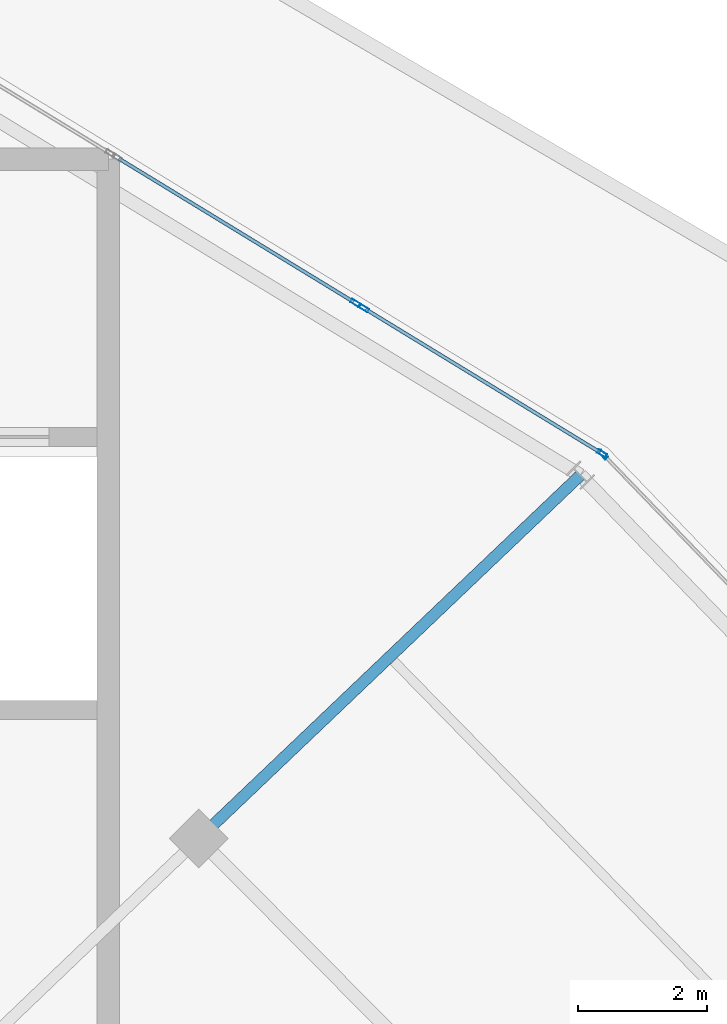
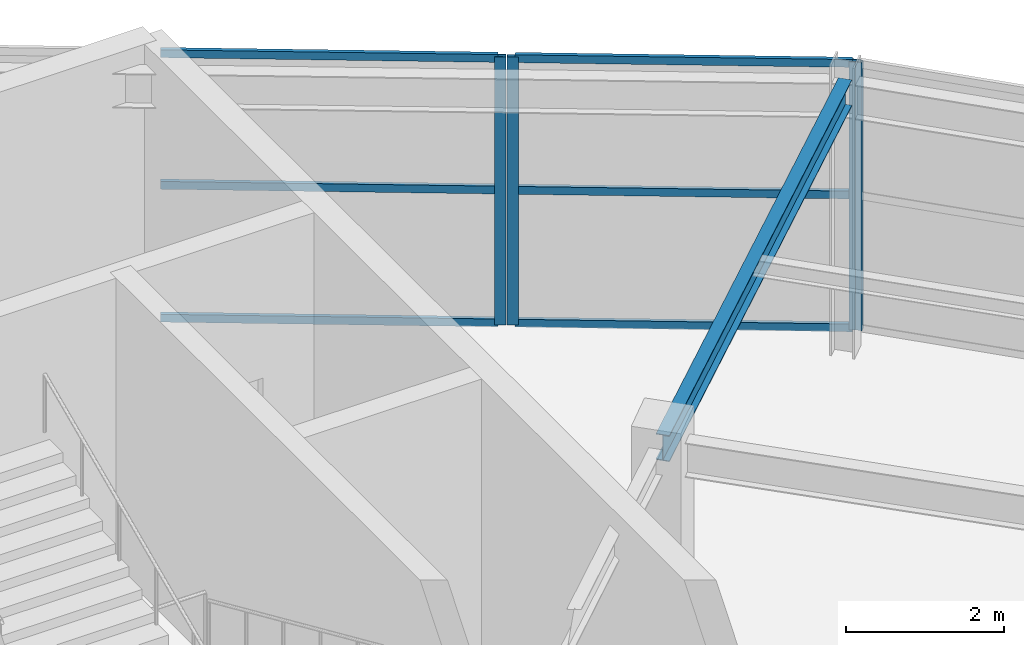
# One storey, part 91 of 126: 10 members, 1 beam, 3 elements without a shape of their own.
"""IFC4 building model written with IfcOpenShell, lengths in metres."""

from ifc_helpers import new_model, si_unit, direction, frame, origin, origin_2d, place, context, subcontext, project, spatial, hollow_rectangle, i_section, extrude, material, layer, layer_set, material_profile, profile_set, type_object, element, aggregate, save


model = new_model("IFC4")

# Units and contexts
model_context = context("Model", 3, precision=1e-05, world=origin(), true_north=direction((0.0, 1.0)))
body_context = subcontext(model_context, "Body", "Model", "MODEL_VIEW")
ifc_project = project(units=[si_unit("LENGTHUNIT", "METRE"), si_unit("AREAUNIT", "SQUARE_METRE"), si_unit("VOLUMEUNIT", "CUBIC_METRE"), si_unit("PLANEANGLEUNIT", "RADIAN"), si_unit("MASSUNIT", "GRAM", prefix="KILO")], contexts=[model_context])

# Site, building, storey
site_placement = place(None, origin())
site = spatial("IfcSite", under=ifc_project, at=site_placement, CompositionType="ELEMENT")
building_placement = place(site_placement, origin())
building = spatial("IfcBuilding", under=site, at=building_placement, Name="Kalgoora Escarpment Arena", CompositionType="ELEMENT")
storey_placement = place(building_placement, frame((0.0, 0.0, 18.89990234375)))
storey = spatial("IfcBuildingStorey", under=building, at=storey_placement, Name="L04", CompositionType="ELEMENT", Elevation=18.89990234375)

# Beam
ifc_material_1 = material(Name="Structural steel AS/NZS 3679 (300 MPa)", Category="steel")
ifc_material_profile_1 = material_profile(ifc_material_1, i_section(OverallWidth=0.177978515625, OverallDepth=0.406005859375, WebThickness=0.0078125, FlangeThickness=0.0126953125, at=origin_2d()))
ifc_profile_set_1 = profile_set([ifc_material_profile_1], Name="Structural steel AS/NZS 3679 (300 MPa)")
beam_type = type_object("IfcBeamType", Name="BM-GIRDER-410UB59.7", PredefinedType="USERDEFINED", material=ifc_profile_set_1)
beam_placement = place(storey_placement, frame((137.230712890625, 98.648193359375, 4.007080078125), z_axis=(0.724130144905, 0.689663347757, 0.0), x_axis=(-0.689663347757, 0.724130144905, 0.0)))
element("IfcBeam", 1, at=beam_placement, inside=storey, type_object=beam_type, Name="L04 Radial concourse girder 410UB59.7", ObjectType="GIRDER", PredefinedType="USERDEFINED", context=body_context, shape_type="SweptSolid", body=[
    extrude(i_section(OverallWidth=0.177978515625, OverallDepth=0.406005859375, WebThickness=0.0078125, FlangeThickness=0.0126953125, at=origin_2d()), origin(), (0.0, 0.0, 1.0), 8.20263671875),
])

# Curtain wall, member
ifc_material_2 = material(Name=" Champagne anodised aluminium & double-glazed low-E", Category="aluminium")
ifc_layer_1 = layer(ifc_material_2, 0.162109375)
ifc_layer_set_1 = layer_set([ifc_layer_1], Name="CW-UNIT-13")
curtain_wall_type_1 = type_object("IfcCurtainWallType", Name="CW-UNIT-13", PredefinedType="NOTDEFINED", material=ifc_layer_set_1)
curtain_wall_1_placement = place(storey_placement, origin())
curtain_wall_1 = element("IfcCurtainWall", 2, at=curtain_wall_1_placement, inside=storey, type_object=curtain_wall_type_1, Name="L04 unitised facade curtain wall 172", PredefinedType="NOTDEFINED")
ifc_material_3 = material(Name="Anodised aluminium 6063-T6", Category="aluminium")
ifc_material_profile_2 = material_profile(ifc_material_3, hollow_rectangle(XDim=0.06005859375, YDim=0.14990234375, WallThickness=0.00341796875, at=origin_2d()))
ifc_profile_set_2 = profile_set([ifc_material_profile_2], Name="Anodised aluminium 6063-T6")
member_type_1 = type_object("IfcMemberType", Name="MEM-CW-MULL-150", PredefinedType="MULLION", material=ifc_profile_set_2)
member_1_placement = place(storey_placement, frame((139.66650390625, 106.98681640625, 0.02001953125), z_axis=(0.0, 0.0, 1.0), x_axis=(0.52106650732, 0.853516077733, 0.0)))
member_1 = element("IfcMember", 3, at=member_1_placement, type_object=member_type_1, Name="CW-13 mullion 2", PredefinedType="MULLION", context=body_context, shape_type="SweptSolid", body=[
    extrude(hollow_rectangle(XDim=0.06005859375, YDim=0.14990234375, WallThickness=0.00341796875, at=origin_2d()), origin(), (0.0, 0.0, 1.0), 4.150146484375),
])

# Curtain wall, members
ifc_material_4 = material(Name=" Champagne anodised aluminium & double-glazed low-E", Category="aluminium")
ifc_layer_2 = layer(ifc_material_4, 0.166015625)
ifc_layer_set_2 = layer_set([ifc_layer_2], Name="CW-UNIT-14")
curtain_wall_type_2 = type_object("IfcCurtainWallType", Name="CW-UNIT-14", PredefinedType="NOTDEFINED", material=ifc_layer_set_2)
curtain_wall_2_placement = place(storey_placement, origin())
curtain_wall_2 = element("IfcCurtainWall", 4, at=curtain_wall_2_placement, inside=storey, type_object=curtain_wall_type_2, Name="L04 unitised facade curtain wall 173", PredefinedType="NOTDEFINED")
member_2_placement = place(storey_placement, frame((139.802978515625, 106.9033203125, 0.02001953125), z_axis=(0.0, 0.0, 1.0), x_axis=(0.521039836105, 0.85353235978, 0.0)))
member_2 = element("IfcMember", 5, at=member_2_placement, type_object=member_type_1, Name="CW-14 mullion 1", PredefinedType="MULLION", context=body_context, shape_type="SweptSolid", body=[
    extrude(hollow_rectangle(XDim=0.06005859375, YDim=0.14990234375, WallThickness=0.00341796875, at=origin_2d()), origin(), (0.0, 0.0, 1.0), 4.150146484375),
])
member_3_placement = place(storey_placement, frame((143.50634765625, 104.642578125, 0.02001953125), z_axis=(0.0, 0.0, 1.0), x_axis=(0.521039836105, 0.85353235978, 0.0)))
member_3 = element("IfcMember", 6, at=member_3_placement, type_object=member_type_1, Name="CW-14 mullion 2", PredefinedType="MULLION", context=body_context, shape_type="SweptSolid", body=[
    extrude(hollow_rectangle(XDim=0.06005859375, YDim=0.14990234375, WallThickness=0.00341796875, at=origin_2d()), origin(), (0.0, 0.0, 1.0), 4.150146484375),
])

# Curtain wall, member
ifc_material_5 = material(Name=" Champagne anodised aluminium & double-glazed low-E", Category="aluminium")
ifc_layer_3 = layer(ifc_material_5, 0.14990234375)
ifc_layer_set_3 = layer_set([ifc_layer_3], Name="CW-UNIT-15")
curtain_wall_type_3 = type_object("IfcCurtainWallType", Name="CW-UNIT-15", PredefinedType="NOTDEFINED", material=ifc_layer_set_3)
curtain_wall_3_placement = place(storey_placement, origin())
curtain_wall_3 = element("IfcCurtainWall", 7, at=curtain_wall_3_placement, inside=storey, type_object=curtain_wall_type_3, Name="L04 unitised facade curtain wall 174", PredefinedType="NOTDEFINED")
member_4_placement = place(storey_placement, frame((143.52880859375, 104.62451171875, 0.02001953125), z_axis=(0.0, 0.0, 1.0), x_axis=(0.719779772297, 0.69420247723, 0.0)))
member_4 = element("IfcMember", 8, at=member_4_placement, type_object=member_type_1, Name="CW-15 mullion 1", PredefinedType="MULLION", context=body_context, shape_type="SweptSolid", body=[
    extrude(hollow_rectangle(XDim=0.06005859375, YDim=0.14990234375, WallThickness=0.00341796875, at=origin_2d()), origin(), (0.0, 0.0, 1.0), 4.150146484375),
])
aggregate(curtain_wall_3, [member_4])

# Member
ifc_material_6 = material(Name="Anodised aluminium 6063-T6", Category="aluminium")
ifc_material_profile_3 = material_profile(ifc_material_6, hollow_rectangle(XDim=0.054931640625, YDim=0.1201171875, WallThickness=0.003173828125, at=origin_2d()))
ifc_profile_set_3 = profile_set([ifc_material_profile_3], Name="Anodised aluminium 6063-T6")
member_type_2 = type_object("IfcMemberType", Name="MEM-CW-TRAN-120", PredefinedType="USERDEFINED", material=ifc_profile_set_3)
member_5_placement = place(storey_placement, frame((135.98876953125, 109.23193359375, 0.047607421875), z_axis=(0.853525741928, -0.521050676869, 0.0), x_axis=(0.521050676869, 0.853525741928, 0.0)))
member_5 = element("IfcMember", 9, at=member_5_placement, type_object=member_type_2, Name="CW-13 transom 1.1", ObjectType="TRANSOM", PredefinedType="USERDEFINED", context=body_context, shape_type="SweptSolid", body=[
    extrude(hollow_rectangle(XDim=0.054931640625, YDim=0.1201171875, WallThickness=0.003173828125, at=origin_2d()), origin(), (0.0, 0.0, 1.0), 4.27880859375),
])

member_6_placement = place(storey_placement, frame((135.98876953125, 109.23193359375, 2.10498046875), z_axis=(0.853525741928, -0.521050676869, 0.0), x_axis=(0.521050676869, 0.853525741928, 0.0)))
member_6 = element("IfcMember", 10, at=member_6_placement, type_object=member_type_2, Name="CW-13 transom 1.2", ObjectType="TRANSOM", PredefinedType="USERDEFINED", context=body_context, shape_type="SweptSolid", body=[
    extrude(hollow_rectangle(XDim=0.054931640625, YDim=0.1201171875, WallThickness=0.003173828125, at=origin_2d()), origin(), (0.0, 0.0, 1.0), 4.27880859375),
])

member_7_placement = place(storey_placement, frame((135.98876953125, 109.23193359375, 4.142578125), z_axis=(0.853525741928, -0.521050676869, 0.0), x_axis=(0.521050676869, 0.853525741928, 0.0)))
member_7 = element("IfcMember", 11, at=member_7_placement, type_object=member_type_2, Name="CW-13 transom 1.3", ObjectType="TRANSOM", PredefinedType="USERDEFINED", context=body_context, shape_type="SweptSolid", body=[
    extrude(hollow_rectangle(XDim=0.054931640625, YDim=0.1201171875, WallThickness=0.003173828125, at=origin_2d()), origin(), (0.0, 0.0, 1.0), 4.27880859375),
])

aggregate(curtain_wall_1, [member_1, member_5, member_6, member_7])

member_8_placement = place(storey_placement, frame((139.82861328125, 106.8876953125, 0.047607421875), z_axis=(0.853525741928, -0.521050676869, 0.0), x_axis=(0.521050676869, 0.853525741928, 0.0)))
member_8 = element("IfcMember", 12, at=member_8_placement, type_object=member_type_2, Name="CW-14 transom 1.1", ObjectType="TRANSOM", PredefinedType="USERDEFINED", context=body_context, shape_type="SweptSolid", body=[
    extrude(hollow_rectangle(XDim=0.054931640625, YDim=0.1201171875, WallThickness=0.003173828125, at=origin_2d()), origin(), (0.0, 0.0, 1.0), 4.27880859375),
])

member_9_placement = place(storey_placement, frame((139.82861328125, 106.8876953125, 2.10498046875), z_axis=(0.853525741928, -0.521050676869, 0.0), x_axis=(0.521050676869, 0.853525741928, 0.0)))
member_9 = element("IfcMember", 13, at=member_9_placement, type_object=member_type_2, Name="CW-14 transom 1.2", ObjectType="TRANSOM", PredefinedType="USERDEFINED", context=body_context, shape_type="SweptSolid", body=[
    extrude(hollow_rectangle(XDim=0.054931640625, YDim=0.1201171875, WallThickness=0.003173828125, at=origin_2d()), origin(), (0.0, 0.0, 1.0), 4.27880859375),
])

member_10_placement = place(storey_placement, frame((139.82861328125, 106.8876953125, 4.142578125), z_axis=(0.853525741928, -0.521050676869, 0.0), x_axis=(0.521050676869, 0.853525741928, 0.0)))
member_10 = element("IfcMember", 14, at=member_10_placement, type_object=member_type_2, Name="CW-14 transom 1.3", ObjectType="TRANSOM", PredefinedType="USERDEFINED", context=body_context, shape_type="SweptSolid", body=[
    extrude(hollow_rectangle(XDim=0.054931640625, YDim=0.1201171875, WallThickness=0.003173828125, at=origin_2d()), origin(), (0.0, 0.0, 1.0), 4.27880859375),
])

aggregate(curtain_wall_2, [member_2, member_3, member_8, member_9, member_10])

save(model, "model.ifc")
